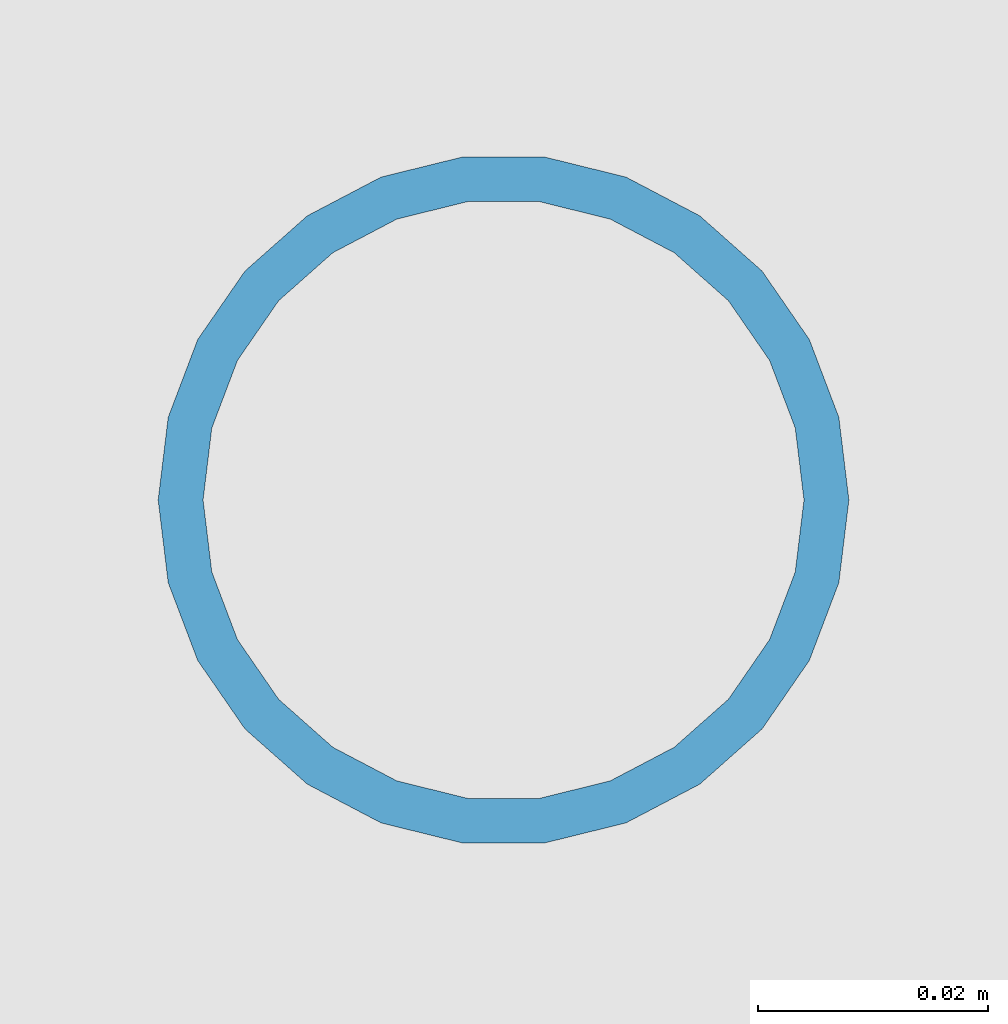
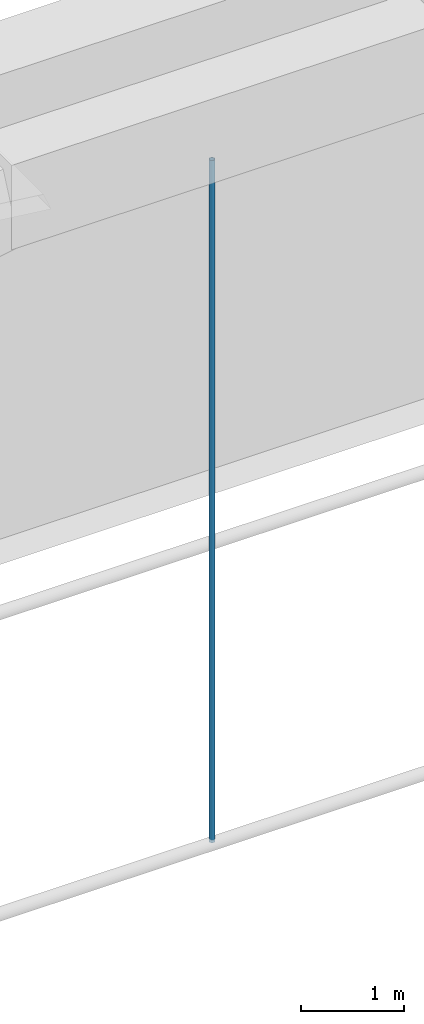
# One storey, part 31 of 94: 1 member.
"""IFC4 building model written with IfcOpenShell, lengths in metres."""

from ifc_helpers import new_model, si_unit, direction, frame, origin, origin_2d, place, context, subcontext, project, spatial, hollow_circle, extrude, material, material_profile, profile_set, type_object, element, save


model = new_model("IFC4")

# Units and contexts
model_context = context("Model", 3, precision=1e-05, world=origin(), true_north=direction((0.0, 1.0)))
body_context = subcontext(model_context, "Body", "Model", "MODEL_VIEW")
ifc_project = project(units=[si_unit("LENGTHUNIT", "METRE"), si_unit("AREAUNIT", "SQUARE_METRE"), si_unit("VOLUMEUNIT", "CUBIC_METRE"), si_unit("PLANEANGLEUNIT", "RADIAN"), si_unit("MASSUNIT", "GRAM", prefix="KILO")], contexts=[model_context])

# Site, building, storey
site_placement = place(None, origin())
site = spatial("IfcSite", under=ifc_project, at=site_placement, CompositionType="ELEMENT")
building_placement = place(site_placement, origin())
building = spatial("IfcBuilding", under=site, at=building_placement, Name="Lunette Opera House", CompositionType="ELEMENT")
storey_placement = place(building_placement, frame((0.0, 0.0, 22.5)))
storey = spatial("IfcBuildingStorey", under=building, at=storey_placement, Name="L04", CompositionType="ELEMENT", Elevation=22.5)

# Member
ifc_material = material(Name="Steel S355", Category="steel")
ifc_material_profile = material_profile(ifc_material, hollow_circle(Radius=0.030029296875, WallThickness=0.00390625, at=origin_2d()), Name="CHS 60.3X4")
ifc_profile_set = profile_set([ifc_material_profile], Name="Steel S355")
member_type = type_object("IfcMemberType", Name="CHS 60.3X4", PredefinedType="POST", material=ifc_profile_set)
member_placement = place(storey_placement, frame((96.0, 86.37109375, 2.72998046875), z_axis=(0.0, 0.0, 1.0), x_axis=(1.0, 0.0, 0.0)))
element("IfcMember", 1, at=member_placement, inside=storey, type_object=member_type, Name="mem-AU-L04-HG6-96", PredefinedType="POST", context=body_context, shape_type="SweptSolid", body=[
    extrude(hollow_circle(Radius=0.030029296875, WallThickness=0.00390625, at=origin_2d()), origin(), (0.0, 0.0, 1.0), 8.08203125),
])

save(model, "model.ifc")
